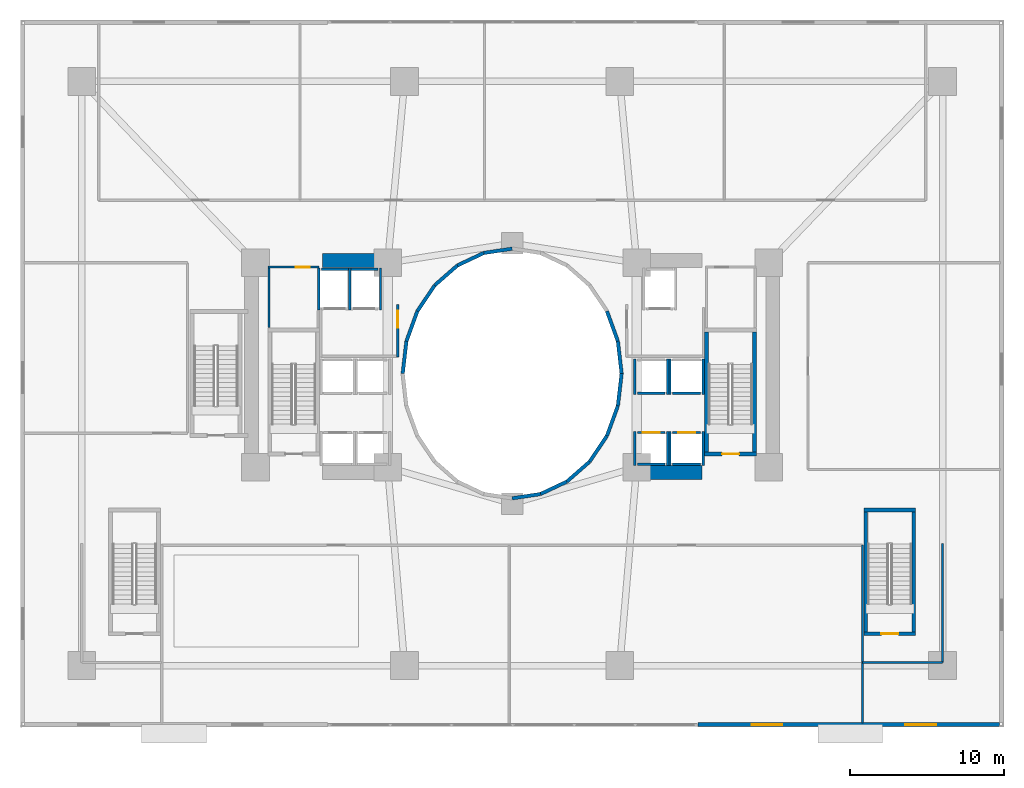
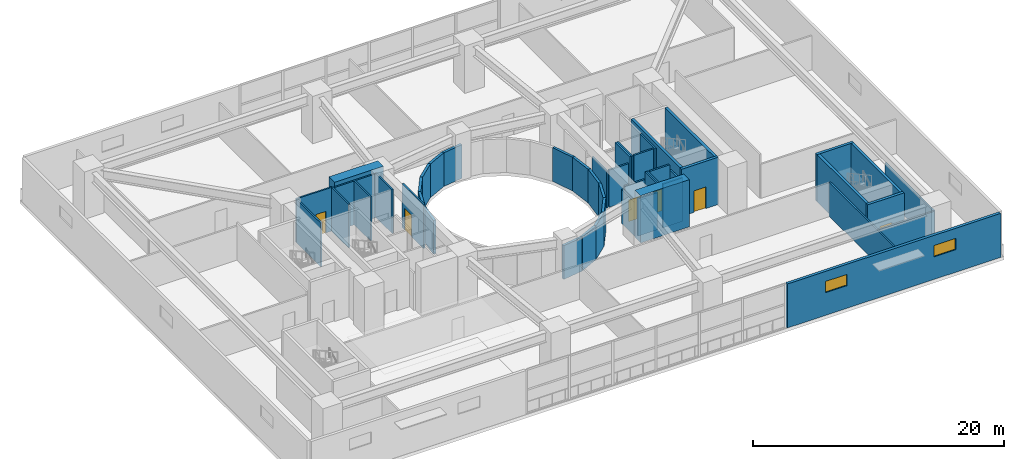
# One storey, part 12 of 20: 49 walls, 6 doors, 2 windows, 8 openings.
"""IFC4 building model written with IfcOpenShell, lengths in metres."""

from ifc_helpers import new_model, si_unit, direction, frame, frame_2d, origin, place, context, subcontext, project, spatial, rectangle, extrude, material, layer, layer_set, type_object, element, fill, save


model = new_model("IFC4")

# Units and contexts
model_context = context("Model", 3, precision=1e-05, world=origin(), true_north=direction((0.0, 1.0)))
body_context = subcontext(model_context, "Body", "Model", "MODEL_VIEW")
ifc_project = project(units=[si_unit("LENGTHUNIT", "METRE"), si_unit("AREAUNIT", "SQUARE_METRE"), si_unit("VOLUMEUNIT", "CUBIC_METRE"), si_unit("PLANEANGLEUNIT", "RADIAN"), si_unit("MASSUNIT", "GRAM", prefix="KILO")], contexts=[model_context])

# Site, building, storey
site_placement = place(None, origin())
site = spatial("IfcSite", under=ifc_project, at=site_placement, CompositionType="ELEMENT")
building_placement = place(site_placement, origin())
building = spatial("IfcBuilding", under=site, at=building_placement, Name="Solvane Sanctuary Tower", CompositionType="ELEMENT")
storey_placement = place(building_placement, frame((0.0, 0.0, 18.39990234375)))
storey = spatial("IfcBuildingStorey", under=building, at=storey_placement, Name="L05", CompositionType="ELEMENT", Elevation=18.39990234375)

# Walls
ifc_material_1 = material(Name="Concrete C70/85", Category="concrete")
ifc_layer_1 = layer(ifc_material_1, 0.89990234375, Name="Concrete C70/85")
ifc_layer_set_1 = layer_set([ifc_layer_1], Name="Concrete C70/85")
wall_type_1 = type_object("IfcWallType", Name="Wall W-CORE-900", PredefinedType="SHEAR", material=ifc_layer_set_1)
for number, where, z_axis, x_axis, name in (
    (1, (19.64990234375, 30.35009765625, 0.0), (0.0, 0.0, 1.0), (1.0, 0.0, 0.0), "L05 Core Shear Wall WC-N"),
    (2, (39.85009765625, 16.550048828125, 0.0), (0.0, 0.0, 1.0), (1.0, 0.0, 0.0), "L05 Core Shear Wall EC-S"),
):
    element("IfcWall", number, at=place(storey_placement, frame(where, z_axis=z_axis, x_axis=x_axis)), inside=storey, type_object=wall_type_1, Name=name, PredefinedType="SHEAR", context=body_context, shape_type="SweptSolid", body=[
        extrude(rectangle(XDim=4.5, YDim=0.89990234375, at=frame_2d((2.25, 0.0))), origin(), (0.0, 0.0, 1.0), 4.60009765625),
    ])

# Wall, opening, door
ifc_material_2 = material(Name="Acoustic Gypsum Partition Board")
ifc_layer_2 = layer(ifc_material_2, 0.14990234375, Name="Acoustic Gypsum Partition Board")
ifc_layer_set_2 = layer_set([ifc_layer_2], Name="Acoustic Gypsum Partition Board")
wall_type_2 = type_object("IfcWallType", Name="Wall W-CORR-150", PredefinedType="PARTITIONING", material=ifc_layer_set_2)
wall_1_placement = place(storey_placement, frame((24.550048828125, 24.080078125, 0.0), z_axis=(0.0, 0.0, 1.0), x_axis=(0.0, 1.0, 0.0)))
wall_1 = element("IfcWall", 3, at=wall_1_placement, inside=storey, type_object=wall_type_2, Name="L05 West Firefighting Lobby East Wall", PredefinedType="PARTITIONING", context=body_context, shape_type="SweptSolid", body=[
    extrude(rectangle(XDim=3.39990234375, YDim=0.14990234375, at=frame_2d((1.699951171875, 0.0))), origin(), (0.0, 0.0, 1.0), 4.255126953125),
])
opening_1_placement = place(wall_1_placement, frame((1.893798828125, 0.0, 0.0)))
opening_1 = element("IfcOpeningElement", 4, at=opening_1_placement, cuts=wall_1, Name="Opening D-L05-06", PredefinedType="OPENING", context=body_context, shape_type="SweptSolid", body=[
    extrude(rectangle(XDim=1.10009765625, YDim=2.10009765625, at=frame_2d((0.550048828125, 1.050048828125))), frame((0.0, 0.0849609375, 0.0), z_axis=(0.0, -1.0, 0.0), x_axis=(1.0, 0.0, 0.0)), (0.0, 0.0, 1.0), 0.169921875),
])
ifc_material_3 = material(Name="Architectural Stainless Steel 316", Category="steel")
door_type_1 = type_object("IfcDoorType", Name="Door D-FFL", OperationType="NOTDEFINED", PredefinedType="DOOR", material=ifc_material_3)
door_1_placement = place(opening_1_placement, origin())
door_1 = element("IfcDoor", 5, at=door_1_placement, inside=storey, type_object=door_type_1, Name="L05 West Firefighting Lobby Fire Door", OperationType="SINGLE_SWING_RIGHT", OverallHeight=2.10009765625, OverallWidth=1.10009765625, PredefinedType="DOOR", context=body_context, shape_type="SweptSolid", body=[
    extrude(rectangle(XDim=1.10009765625, YDim=2.10009765625, at=frame_2d((0.550048828125, 1.050048828125))), frame((0.0, 0.02490234375, 0.0), z_axis=(0.0, -1.0, 0.0), x_axis=(1.0, 0.0, 0.0)), (0.0, 0.0, 1.0), 0.050048828125),
])
fill(opening_1, door_1)

# Walls
wall_2_placement = place(storey_placement, frame((54.800048828125, 0.25, 0.0), z_axis=(0.0, 0.0, 1.0), x_axis=(0.0, 1.0, 0.0)))
element("IfcWall", 6, at=wall_2_placement, inside=storey, type_object=wall_type_2, Name="L05 East Hall End Wall", PredefinedType="PARTITIONING", context=body_context, shape_type="SweptSolid", body=[
    extrude(rectangle(XDim=11.580078125, YDim=0.14990234375, at=frame_2d((5.7900390625, 0.0))), origin(), (0.0, 0.0, 1.0), 3.300048828125),
])
wall_3_placement = place(storey_placement, frame((60.0, 4.199951171875, 0.0), z_axis=(0.0, 0.0, 1.0), x_axis=(0.0, 1.0, 0.0)))
element("IfcWall", 7, at=wall_3_placement, inside=storey, type_object=wall_type_2, Name="L05 ST-5 Link East Wall", PredefinedType="PARTITIONING", context=body_context, shape_type="SweptSolid", body=[
    extrude(rectangle(XDim=7.75, YDim=0.14990234375, at=frame_2d((3.875, 0.0))), origin(), (0.0, 0.0, 1.0), 3.300048828125),
])
wall_4_placement = place(storey_placement, frame((54.800048828125, 4.199951171875, 0.0), z_axis=(0.0, 0.0, 1.0), x_axis=(1.0, 0.0, 0.0)))
element("IfcWall", 8, at=wall_4_placement, inside=storey, type_object=wall_type_2, Name="L05 ST-5 Lobby South Wall", PredefinedType="PARTITIONING", context=body_context, shape_type="SweptSolid", body=[
    extrude(rectangle(XDim=5.199951171875, YDim=0.14990234375, at=frame_2d((2.60009765625, 0.0))), origin(), (0.0, 0.0, 1.0), 3.300048828125),
])

# Wall, openings, windows
ifc_material_4 = material(Name="Precast concrete C40/50", Category="concrete")
ifc_layer_3 = layer(ifc_material_4, 0.260009765625, Name="Precast concrete C40/50")
ifc_layer_set_3 = layer_set([ifc_layer_3], Name="Precast concrete C40/50")
wall_type_3 = type_object("IfcWallType", Name="Wall W-EXT-250", PredefinedType="STANDARD", material=ifc_layer_set_3)
wall_5_placement = place(storey_placement, frame((44.080078125, 0.14990234375, 0.0), z_axis=(0.0, 0.0, 1.0), x_axis=(1.0, 0.0, 0.0)))
wall_5 = element("IfcWall", 9, at=wall_5_placement, inside=storey, type_object=wall_type_3, Name="L05 Podium Facade Wall S3", PredefinedType="STANDARD", context=body_context, shape_type="SweptSolid", body=[
    extrude(rectangle(XDim=19.639892578125, YDim=0.260009765625, at=frame_2d((9.81982421875, 0.0))), origin(), (0.0, 0.0, 1.0), 4.280029296875),
])
opening_2_placement = place(wall_5_placement, frame((3.5, 0.0, 2.199951171875)))
opening_2 = element("IfcOpeningElement", 10, at=opening_2_placement, cuts=wall_5, Name="Opening WN-CLER-2000", PredefinedType="OPENING", context=body_context, shape_type="SweptSolid", body=[
    extrude(rectangle(XDim=2.0, YDim=1.10009765625, at=frame_2d((1.0, 0.550048828125))), frame((0.0, 0.139892578125, 0.0), z_axis=(0.0, -1.0, 0.0), x_axis=(1.0, 0.0, 0.0)), (0.0, 0.0, 1.0), 0.280029296875),
])
opening_3_placement = place(wall_5_placement, frame((13.5, 0.0, 2.199951171875)))
opening_3 = element("IfcOpeningElement", 11, at=opening_3_placement, cuts=wall_5, Name="Opening WN-CLER-2000", PredefinedType="OPENING", context=body_context, shape_type="SweptSolid", body=[
    extrude(rectangle(XDim=2.0, YDim=1.10009765625, at=frame_2d((1.0, 0.550048828125))), frame((0.0, 0.139892578125, 0.0), z_axis=(0.0, -1.0, 0.0), x_axis=(1.0, 0.0, 0.0)), (0.0, 0.0, 1.0), 0.280029296875),
])
ifc_material_5 = material(Name="Dark Ceramic-Fritted Low-E Glass", Category="glass")
window_type = type_object("IfcWindowType", Name="Window WN-CLER-2000", PartitioningType="SINGLE_PANEL", PredefinedType="WINDOW", material=ifc_material_5)
window_1_placement = place(opening_2_placement, origin())
window_1 = element("IfcWindow", 12, at=window_1_placement, inside=storey, type_object=window_type, Name="L05 Podium Window S3-3", OverallHeight=1.10009765625, OverallWidth=2.0, PartitioningType="SINGLE_PANEL", PredefinedType="WINDOW", context=body_context, shape_type="SweptSolid", body=[
    extrude(rectangle(XDim=2.0, YDim=1.10009765625, at=frame_2d((1.0, 0.550048828125))), frame((0.0, 0.030029296875, 0.0), z_axis=(0.0, -1.0, 0.0), x_axis=(1.0, 0.0, 0.0)), (0.0, 0.0, 1.0), 0.06005859375),
])
fill(opening_2, window_1)
window_2_placement = place(opening_3_placement, origin())
window_2 = element("IfcWindow", 13, at=window_2_placement, inside=storey, type_object=window_type, Name="L05 Podium Window S3-13", OverallHeight=1.10009765625, OverallWidth=2.0, PartitioningType="SINGLE_PANEL", PredefinedType="WINDOW", context=body_context, shape_type="SweptSolid", body=[
    extrude(rectangle(XDim=2.0, YDim=1.10009765625, at=frame_2d((1.0, 0.550048828125))), frame((0.0, 0.030029296875, 0.0), z_axis=(0.0, -1.0, 0.0), x_axis=(1.0, 0.0, 0.0)), (0.0, 0.0, 1.0), 0.06005859375),
])
fill(opening_3, window_2)

# Walls
ifc_layer_4 = layer(ifc_material_4, 0.22998046875, Name="Precast concrete C40/50")
ifc_layer_set_4 = layer_set([ifc_layer_4], Name="Precast concrete C40/50")
wall_type_4 = type_object("IfcWallType", Name="Wall W-EXT-SP220", PredefinedType="STANDARD", material=ifc_layer_set_4)
wall_6_placement = place(storey_placement, frame((39.1201171875, 23.0, 0.0), z_axis=(0.0, 0.0, 1.0), x_axis=(-0.114711713601, 0.993398823617, 0.0)))
element("IfcWall", 14, at=wall_6_placement, inside=storey, type_object=wall_type_4, Name="L05 Light-Well Enclosure Wall 00", PredefinedType="STANDARD", context=body_context, shape_type="SweptSolid", body=[
    extrude(rectangle(XDim=2.115478515625, YDim=0.22998046875, at=frame_2d((1.0576171875, 0.0))), origin(), (0.0, 0.0, 1.0), 3.280029296875),
])
wall_7_placement = place(storey_placement, frame((38.87744140625, 25.1015625, 0.0), z_axis=(0.0, 0.0, 1.0), x_axis=(-0.341423187295, 0.93990968033, 0.0)))
element("IfcWall", 15, at=wall_7_placement, inside=storey, type_object=wall_type_4, Name="L05 Light-Well Enclosure Wall 01", PredefinedType="STANDARD", context=body_context, shape_type="SweptSolid", body=[
    extrude(rectangle(XDim=2.083740234375, YDim=0.22998046875, at=frame_2d((1.0419921875, 0.0))), origin(), (0.0, 0.0, 1.0), 3.280029296875),
])
wall_8_placement = place(storey_placement, frame((32.0, 31.1201171875, 0.0), z_axis=(0.0, 0.0, 1.0), x_axis=(-0.988901730308, -0.148571086668, 0.0)))
element("IfcWall", 16, at=wall_8_placement, inside=storey, type_object=wall_type_4, Name="L05 Light-Well Enclosure Wall 06", PredefinedType="STANDARD", context=body_context, shape_type="SweptSolid", body=[
    extrude(rectangle(XDim=1.863525390625, YDim=0.22998046875, at=frame_2d((0.931640625, 0.0))), origin(), (0.0, 0.0, 1.0), 3.280029296875),
])
wall_9_placement = place(storey_placement, frame((30.1572265625, 30.84326171875, 0.0), z_axis=(0.0, 0.0, 1.0), x_axis=(-0.904179699603, -0.427152280606, 0.0)))
element("IfcWall", 17, at=wall_9_placement, inside=storey, type_object=wall_type_4, Name="L05 Light-Well Enclosure Wall 07", PredefinedType="STANDARD", context=body_context, shape_type="SweptSolid", body=[
    extrude(rectangle(XDim=1.899169921875, YDim=0.22998046875, at=frame_2d((0.94970703125, 0.0))), origin(), (0.0, 0.0, 1.0), 3.280029296875),
])
wall_10_placement = place(storey_placement, frame((28.43994140625, 30.031982421875, 0.0), z_axis=(0.0, 0.0, 1.0), x_axis=(-0.752576694707, -0.658504607869, 0.0)))
element("IfcWall", 18, at=wall_10_placement, inside=storey, type_object=wall_type_4, Name="L05 Light-Well Enclosure Wall 08", PredefinedType="STANDARD", context=body_context, shape_type="SweptSolid", body=[
    extrude(rectangle(XDim=1.95947265625, YDim=0.22998046875, at=frame_2d((0.979736328125, 0.0))), origin(), (0.0, 0.0, 1.0), 3.280029296875),
])
wall_11_placement = place(storey_placement, frame((26.96533203125, 28.74169921875, 0.0), z_axis=(0.0, 0.0, 1.0), x_axis=(-0.558197800898, -0.829707909492, 0.0)))
element("IfcWall", 19, at=wall_11_placement, inside=storey, type_object=wall_type_4, Name="L05 Light-Well Enclosure Wall 09", PredefinedType="STANDARD", context=body_context, shape_type="SweptSolid", body=[
    extrude(rectangle(XDim=2.02685546875, YDim=0.22998046875, at=frame_2d((1.013427734375, 0.0))), origin(), (0.0, 0.0, 1.0), 3.280029296875),
])
wall_12_placement = place(storey_placement, frame((25.833984375, 27.06005859375, 0.0), z_axis=(0.0, 0.0, 1.0), x_axis=(-0.341423187295, -0.93990968033, 0.0)))
element("IfcWall", 20, at=wall_12_placement, inside=storey, type_object=wall_type_4, Name="L05 Light-Well Enclosure Wall 10", PredefinedType="STANDARD", context=body_context, shape_type="SweptSolid", body=[
    extrude(rectangle(XDim=2.083740234375, YDim=0.22998046875, at=frame_2d((1.0419921875, 0.0))), origin(), (0.0, 0.0, 1.0), 3.280029296875),
])
wall_13_placement = place(storey_placement, frame((25.12255859375, 25.1015625, 0.0), z_axis=(0.0, 0.0, 1.0), x_axis=(-0.114711713601, -0.993398823617, 0.0)))
element("IfcWall", 21, at=wall_13_placement, inside=storey, type_object=wall_type_4, Name="L05 Light-Well Enclosure Wall 11", PredefinedType="STANDARD", context=body_context, shape_type="SweptSolid", body=[
    extrude(rectangle(XDim=2.115478515625, YDim=0.22998046875, at=frame_2d((1.0576171875, 0.0))), origin(), (0.0, 0.0, 1.0), 3.280029296875),
])
wall_14_placement = place(storey_placement, frame((32.0, 14.8798828125, 0.0), z_axis=(0.0, 0.0, 1.0), x_axis=(0.988901730308, 0.148571086668, 0.0)))
element("IfcWall", 22, at=wall_14_placement, inside=storey, type_object=wall_type_4, Name="L05 Light-Well Enclosure Wall 18", PredefinedType="STANDARD", context=body_context, shape_type="SweptSolid", body=[
    extrude(rectangle(XDim=1.863525390625, YDim=0.22998046875, at=frame_2d((0.931640625, 0.0))), origin(), (0.0, 0.0, 1.0), 3.280029296875),
])
wall_15_placement = place(storey_placement, frame((33.8427734375, 15.15673828125, 0.0), z_axis=(0.0, 0.0, 1.0), x_axis=(0.904179699603, 0.427152280606, 0.0)))
element("IfcWall", 23, at=wall_15_placement, inside=storey, type_object=wall_type_4, Name="L05 Light-Well Enclosure Wall 19", PredefinedType="STANDARD", context=body_context, shape_type="SweptSolid", body=[
    extrude(rectangle(XDim=1.899169921875, YDim=0.22998046875, at=frame_2d((0.94970703125, 0.0))), origin(), (0.0, 0.0, 1.0), 3.280029296875),
])
wall_16_placement = place(storey_placement, frame((35.56005859375, 15.968017578125, 0.0), z_axis=(0.0, 0.0, 1.0), x_axis=(0.752576694707, 0.658504607869, 0.0)))
element("IfcWall", 24, at=wall_16_placement, inside=storey, type_object=wall_type_4, Name="L05 Light-Well Enclosure Wall 20", PredefinedType="STANDARD", context=body_context, shape_type="SweptSolid", body=[
    extrude(rectangle(XDim=1.95947265625, YDim=0.22998046875, at=frame_2d((0.979736328125, 0.0))), origin(), (0.0, 0.0, 1.0), 3.280029296875),
])
wall_17_placement = place(storey_placement, frame((37.03466796875, 17.25830078125, 0.0), z_axis=(0.0, 0.0, 1.0), x_axis=(0.558197800898, 0.829707909492, 0.0)))
element("IfcWall", 25, at=wall_17_placement, inside=storey, type_object=wall_type_4, Name="L05 Light-Well Enclosure Wall 21", PredefinedType="STANDARD", context=body_context, shape_type="SweptSolid", body=[
    extrude(rectangle(XDim=2.02685546875, YDim=0.22998046875, at=frame_2d((1.013427734375, 0.0))), origin(), (0.0, 0.0, 1.0), 3.280029296875),
])
wall_18_placement = place(storey_placement, frame((38.166015625, 18.93994140625, 0.0), z_axis=(0.0, 0.0, 1.0), x_axis=(0.341423187295, 0.93990968033, 0.0)))
element("IfcWall", 26, at=wall_18_placement, inside=storey, type_object=wall_type_4, Name="L05 Light-Well Enclosure Wall 22", PredefinedType="STANDARD", context=body_context, shape_type="SweptSolid", body=[
    extrude(rectangle(XDim=2.083740234375, YDim=0.22998046875, at=frame_2d((1.0419921875, 0.0))), origin(), (0.0, 0.0, 1.0), 3.280029296875),
])
wall_19_placement = place(storey_placement, frame((38.87744140625, 20.8984375, 0.0), z_axis=(0.0, 0.0, 1.0), x_axis=(0.114711713601, 0.993398823617, 0.0)))
element("IfcWall", 27, at=wall_19_placement, inside=storey, type_object=wall_type_4, Name="L05 Light-Well Enclosure Wall 23", PredefinedType="STANDARD", context=body_context, shape_type="SweptSolid", body=[
    extrude(rectangle(XDim=2.115478515625, YDim=0.22998046875, at=frame_2d((1.0576171875, 0.0))), origin(), (0.0, 0.0, 1.0), 3.280029296875),
])

# Wall, opening, door
ifc_material_6 = material(Name="Concrete C50/60", Category="concrete")
ifc_layer_5 = layer(ifc_material_6, 0.14990234375, Name="Concrete C50/60")
ifc_layer_set_5 = layer_set([ifc_layer_5], Name="Concrete C50/60")
wall_type_5 = type_object("IfcWallType", Name="Wall W-SHAFT-150", PredefinedType="SOLIDWALL", material=ifc_layer_set_5)
wall_20_placement = place(storey_placement, frame((40.139892578125, 19.159912109375, 0.0), z_axis=(0.0, 0.0, 1.0), x_axis=(1.0, 0.0, 0.0)))
wall_20 = element("IfcWall", 28, at=wall_20_placement, inside=storey, type_object=wall_type_5, Name="L05 PL-3 Lift Shaft Wall F", PredefinedType="SOLIDWALL", context=body_context, shape_type="SweptSolid", body=[
    extrude(rectangle(XDim=1.820068359375, YDim=0.14990234375, at=frame_2d((0.91015625, 0.0))), origin(), (0.0, 0.0, 1.0), 3.6201171875),
])
opening_4_placement = place(wall_20_placement, frame((0.360107421875, 0.0, 0.0)))
opening_4 = element("IfcOpeningElement", 29, at=opening_4_placement, cuts=wall_20, Name="Opening LD-L05-03", PredefinedType="OPENING", context=body_context, shape_type="SweptSolid", body=[
    extrude(rectangle(XDim=1.10009765625, YDim=2.10009765625, at=frame_2d((0.550048828125, 1.050048828125))), frame((0.0, 0.0849609375, 0.0), z_axis=(0.0, -1.0, 0.0), x_axis=(1.0, 0.0, 0.0)), (0.0, 0.0, 1.0), 0.169921875),
])
door_type_2 = type_object("IfcDoorType", Name="Door LD-PASS-1100", OperationType="NOTDEFINED", PredefinedType="DOOR", material=ifc_material_3)
door_2_placement = place(opening_4_placement, origin())
door_2 = element("IfcDoor", 30, at=door_2_placement, inside=storey, type_object=door_type_2, Name="L05 PL-3 Lift Landing Door", OperationType="DOUBLE_DOOR_SLIDING", OverallHeight=2.10009765625, OverallWidth=1.10009765625, PredefinedType="DOOR", context=body_context, shape_type="SweptSolid", body=[
    extrude(rectangle(XDim=1.10009765625, YDim=2.10009765625, at=frame_2d((0.550048828125, 1.050048828125))), frame((0.0, 0.02490234375, 0.0), z_axis=(0.0, -1.0, 0.0), x_axis=(1.0, 0.0, 0.0)), (0.0, 0.0, 1.0), 0.050048828125),
])
fill(opening_4, door_2)

# Walls
wall_21_placement = place(storey_placement, frame((40.139892578125, 17.10009765625, 0.0), z_axis=(0.0, 0.0, 1.0), x_axis=(1.0, 0.0, 0.0)))
element("IfcWall", 31, at=wall_21_placement, inside=storey, type_object=wall_type_5, Name="L05 PL-3 Lift Shaft Wall B", PredefinedType="SOLIDWALL", context=body_context, shape_type="SweptSolid", body=[
    extrude(rectangle(XDim=1.820068359375, YDim=0.14990234375, at=frame_2d((0.91015625, 0.0))), origin(), (0.0, 0.0, 1.0), 3.6201171875),
])
wall_22_placement = place(storey_placement, frame((39.969970703125, 17.02001953125, 0.0), z_axis=(0.0, 0.0, 1.0), x_axis=(0.0, 1.0, 0.0)))
element("IfcWall", 32, at=wall_22_placement, inside=storey, type_object=wall_type_5, Name="L05 PL-3 Lift Shaft Wall S1", PredefinedType="SOLIDWALL", context=body_context, shape_type="SweptSolid", body=[
    extrude(rectangle(XDim=2.219970703125, YDim=0.14990234375, at=frame_2d((1.10986328125, 0.0))), origin(), (0.0, 0.0, 1.0), 3.300048828125),
])
wall_23_placement = place(storey_placement, frame((42.1298828125, 17.02001953125, 0.0), z_axis=(0.0, 0.0, 1.0), x_axis=(0.0, 1.0, 0.0)))
element("IfcWall", 33, at=wall_23_placement, inside=storey, type_object=wall_type_5, Name="L05 PL-3 Lift Shaft Wall S2", PredefinedType="SOLIDWALL", context=body_context, shape_type="SweptSolid", body=[
    extrude(rectangle(XDim=2.219970703125, YDim=0.14990234375, at=frame_2d((1.10986328125, 0.0))), origin(), (0.0, 0.0, 1.0), 4.255126953125),
])

# Wall, opening, door
wall_24_placement = place(storey_placement, frame((42.43994140625, 19.159912109375, 0.0), z_axis=(0.0, 0.0, 1.0), x_axis=(1.0, 0.0, 0.0)))
wall_24 = element("IfcWall", 34, at=wall_24_placement, inside=storey, type_object=wall_type_5, Name="L05 PL-4 Lift Shaft Wall F", PredefinedType="SOLIDWALL", context=body_context, shape_type="SweptSolid", body=[
    extrude(rectangle(XDim=1.820068359375, YDim=0.14990234375, at=frame_2d((0.91015625, 0.0))), origin(), (0.0, 0.0, 1.0), 4.255126953125),
])
opening_5_placement = place(wall_24_placement, frame((0.360107421875, 0.0, 0.0)))
opening_5 = element("IfcOpeningElement", 35, at=opening_5_placement, cuts=wall_24, Name="Opening LD-L05-04", PredefinedType="OPENING", context=body_context, shape_type="SweptSolid", body=[
    extrude(rectangle(XDim=1.10009765625, YDim=2.10009765625, at=frame_2d((0.550048828125, 1.050048828125))), frame((0.0, 0.0849609375, 0.0), z_axis=(0.0, -1.0, 0.0), x_axis=(1.0, 0.0, 0.0)), (0.0, 0.0, 1.0), 0.169921875),
])
door_3_placement = place(opening_5_placement, origin())
door_3 = element("IfcDoor", 36, at=door_3_placement, inside=storey, type_object=door_type_2, Name="L05 PL-4 Lift Landing Door", OperationType="DOUBLE_DOOR_SLIDING", OverallHeight=2.10009765625, OverallWidth=1.10009765625, PredefinedType="DOOR", context=body_context, shape_type="SweptSolid", body=[
    extrude(rectangle(XDim=1.10009765625, YDim=2.10009765625, at=frame_2d((0.550048828125, 1.050048828125))), frame((0.0, 0.02490234375, 0.0), z_axis=(0.0, -1.0, 0.0), x_axis=(1.0, 0.0, 0.0)), (0.0, 0.0, 1.0), 0.050048828125),
])
fill(opening_5, door_3)

# Walls
wall_25_placement = place(storey_placement, frame((42.43994140625, 17.10009765625, 0.0), z_axis=(0.0, 0.0, 1.0), x_axis=(1.0, 0.0, 0.0)))
element("IfcWall", 37, at=wall_25_placement, inside=storey, type_object=wall_type_5, Name="L05 PL-4 Lift Shaft Wall B", PredefinedType="SOLIDWALL", context=body_context, shape_type="SweptSolid", body=[
    extrude(rectangle(XDim=1.820068359375, YDim=0.14990234375, at=frame_2d((0.91015625, 0.0))), origin(), (0.0, 0.0, 1.0), 4.255126953125),
])
wall_26_placement = place(storey_placement, frame((42.27001953125, 17.02001953125, 0.0), z_axis=(0.0, 0.0, 1.0), x_axis=(0.0, 1.0, 0.0)))
element("IfcWall", 38, at=wall_26_placement, inside=storey, type_object=wall_type_5, Name="L05 PL-4 Lift Shaft Wall S1", PredefinedType="SOLIDWALL", context=body_context, shape_type="SweptSolid", body=[
    extrude(rectangle(XDim=2.219970703125, YDim=0.14990234375, at=frame_2d((1.10986328125, 0.0))), origin(), (0.0, 0.0, 1.0), 4.255126953125),
])
wall_27_placement = place(storey_placement, frame((44.429931640625, 17.02001953125, 0.0), z_axis=(0.0, 0.0, 1.0), x_axis=(0.0, 1.0, 0.0)))
element("IfcWall", 39, at=wall_27_placement, inside=storey, type_object=wall_type_5, Name="L05 PL-4 Lift Shaft Wall S2", PredefinedType="SOLIDWALL", context=body_context, shape_type="SweptSolid", body=[
    extrude(rectangle(XDim=2.219970703125, YDim=0.14990234375, at=frame_2d((1.10986328125, 0.0))), origin(), (0.0, 0.0, 1.0), 3.6201171875),
])
wall_28_placement = place(storey_placement, frame((42.43994140625, 21.719970703125, 0.0), z_axis=(0.0, 0.0, 1.0), x_axis=(1.0, 0.0, 0.0)))
element("IfcWall", 40, at=wall_28_placement, inside=storey, type_object=wall_type_5, Name="L05 PM-2 Lift Shaft Wall F", PredefinedType="SOLIDWALL", context=body_context, shape_type="SweptSolid", body=[
    extrude(rectangle(XDim=1.820068359375, YDim=0.14990234375, at=frame_2d((0.91015625, 0.0))), origin(), (0.0, 0.0, 1.0), 4.255126953125),
])
for number, where, z_axis, x_axis, name in (
    (41, (42.27001953125, 21.639892578125, 0.0), (0.0, 0.0, 1.0), (0.0, 1.0, 0.0), "L05 PM-2 Lift Shaft Wall S1"),
    (42, (44.429931640625, 21.639892578125, 0.0), (0.0, 0.0, 1.0), (0.0, 1.0, 0.0), "L05 PM-2 Lift Shaft Wall S2"),
):
    element("IfcWall", number, at=place(storey_placement, frame(where, z_axis=z_axis, x_axis=x_axis)), inside=storey, type_object=wall_type_5, Name=name, PredefinedType="SOLIDWALL", context=body_context, shape_type="SweptSolid", body=[
        extrude(rectangle(XDim=2.320068359375, YDim=0.14990234375, at=frame_2d((1.16015625, 0.0))), origin(), (0.0, 0.0, 1.0), 4.255126953125),
    ])
wall_29_placement = place(storey_placement, frame((40.139892578125, 21.719970703125, 0.0), z_axis=(0.0, 0.0, 1.0), x_axis=(1.0, 0.0, 0.0)))
element("IfcWall", 43, at=wall_29_placement, inside=storey, type_object=wall_type_5, Name="L05 PH-2 Lift Shaft Wall F", PredefinedType="SOLIDWALL", context=body_context, shape_type="SweptSolid", body=[
    extrude(rectangle(XDim=1.820068359375, YDim=0.14990234375, at=frame_2d((0.91015625, 0.0))), origin(), (0.0, 0.0, 1.0), 3.6201171875),
])
wall_30_placement = place(storey_placement, frame((39.969970703125, 21.639892578125, 0.0), z_axis=(0.0, 0.0, 1.0), x_axis=(0.0, 1.0, 0.0)))
element("IfcWall", 44, at=wall_30_placement, inside=storey, type_object=wall_type_5, Name="L05 PH-2 Lift Shaft Wall S1", PredefinedType="SOLIDWALL", context=body_context, shape_type="SweptSolid", body=[
    extrude(rectangle(XDim=2.320068359375, YDim=0.14990234375, at=frame_2d((1.16015625, 0.0))), origin(), (0.0, 0.0, 1.0), 3.6201171875),
])
wall_31_placement = place(storey_placement, frame((42.1298828125, 21.639892578125, 0.0), z_axis=(0.0, 0.0, 1.0), x_axis=(0.0, 1.0, 0.0)))
element("IfcWall", 45, at=wall_31_placement, inside=storey, type_object=wall_type_5, Name="L05 PH-2 Lift Shaft Wall S2", PredefinedType="SOLIDWALL", context=body_context, shape_type="SweptSolid", body=[
    extrude(rectangle(XDim=2.320068359375, YDim=0.14990234375, at=frame_2d((1.16015625, 0.0))), origin(), (0.0, 0.0, 1.0), 4.255126953125),
])
wall_32_placement = place(storey_placement, frame((19.590087890625, 29.780029296875, 0.0), z_axis=(0.0, 0.0, 1.0), x_axis=(1.0, 0.0, 0.0)))
element("IfcWall", 46, at=wall_32_placement, inside=storey, type_object=wall_type_5, Name="L05 FFL-1 Lift Shaft Wall B", PredefinedType="SOLIDWALL", context=body_context, shape_type="SweptSolid", body=[
    extrude(rectangle(XDim=1.760009765625, YDim=0.14990234375, at=frame_2d((0.8798828125, 0.0))), origin(), (0.0, 0.0, 1.0), 4.255126953125),
])
for number, where, z_axis, x_axis, name in (
    (47, (19.419921875, 27.139892578125, 0.0), (0.0, 0.0, 1.0), (0.0, 1.0, 0.0), "L05 FFL-1 Lift Shaft Wall S1"),
    (48, (21.425048828125, 27.139892578125, 0.0), (0.0, 0.0, 1.0), (0.0, 1.0, 0.0), "L05 FFL-1 Lift Shaft Wall S2"),
):
    element("IfcWall", number, at=place(storey_placement, frame(where, z_axis=z_axis, x_axis=x_axis)), inside=storey, type_object=wall_type_5, Name=name, PredefinedType="SOLIDWALL", context=body_context, shape_type="SweptSolid", body=[
        extrude(rectangle(XDim=2.72021484375, YDim=0.14990234375, at=frame_2d((1.360107421875, 0.0))), origin(), (0.0, 0.0, 1.0), 4.255126953125),
    ])
wall_33_placement = place(storey_placement, frame((21.5, 29.780029296875, 0.0), z_axis=(0.0, 0.0, 1.0), x_axis=(1.0, 0.0, 0.0)))
element("IfcWall", 49, at=wall_33_placement, inside=storey, type_object=wall_type_5, Name="L05 SVL-1 Lift Shaft Wall B", PredefinedType="SOLIDWALL", context=body_context, shape_type="SweptSolid", body=[
    extrude(rectangle(XDim=1.760009765625, YDim=0.14990234375, at=frame_2d((0.8798828125, 0.0))), origin(), (0.0, 0.0, 1.0), 4.255126953125),
])
wall_34_placement = place(storey_placement, frame((23.429931640625, 27.139892578125, 0.0), z_axis=(0.0, 0.0, 1.0), x_axis=(0.0, 1.0, 0.0)))
element("IfcWall", 50, at=wall_34_placement, inside=storey, type_object=wall_type_5, Name="L05 SVL-1 Lift Shaft Wall S2", PredefinedType="SOLIDWALL", context=body_context, shape_type="SweptSolid", body=[
    extrude(rectangle(XDim=2.72021484375, YDim=0.14990234375, at=frame_2d((1.360107421875, 0.0))), origin(), (0.0, 0.0, 1.0), 4.255126953125),
])

# Wall, opening, door
ifc_layer_6 = layer(ifc_material_6, 0.25, Name="Concrete C50/60")
ifc_layer_set_6 = layer_set([ifc_layer_6], Name="Concrete C50/60")
wall_type_6 = type_object("IfcWallType", Name="Wall W-SHAFT-250", PredefinedType="SOLIDWALL", material=ifc_layer_set_6)
wall_35_placement = place(storey_placement, frame((44.52490234375, 17.77001953125, 0.0), z_axis=(0.0, 0.0, 1.0), x_axis=(1.0, 0.0, 0.0)))
wall_35 = element("IfcWall", 51, at=wall_35_placement, inside=storey, type_object=wall_type_6, Name="L05 ST-2 Load-Bearing Shaft Wall S", PredefinedType="SOLIDWALL", context=body_context, shape_type="SweptSolid", body=[
    extrude(rectangle(XDim=3.3701171875, YDim=0.25, at=frame_2d((1.68505859375, 0.0))), origin(), (0.0, 0.0, 1.0), 4.60009765625),
])
opening_6_placement = place(wall_35_placement, frame((1.135009765625, 0.0, 0.0)))
opening_6 = element("IfcOpeningElement", 52, at=opening_6_placement, cuts=wall_35, Name="Opening D-L05-02", PredefinedType="OPENING", context=body_context, shape_type="SweptSolid", body=[
    extrude(rectangle(XDim=1.10009765625, YDim=2.10009765625, at=frame_2d((0.550048828125, 1.050048828125))), frame((0.0, 0.135009765625, 0.0), z_axis=(0.0, -1.0, 0.0), x_axis=(1.0, 0.0, 0.0)), (0.0, 0.0, 1.0), 0.27001953125),
])
door_type_3 = type_object("IfcDoorType", Name="Door D-STAIR", OperationType="NOTDEFINED", PredefinedType="DOOR", material=ifc_material_3)
door_4_placement = place(opening_6_placement, origin())
door_4 = element("IfcDoor", 53, at=door_4_placement, inside=storey, type_object=door_type_3, Name="L05 ST-2 Exit Stair Fire Door", OperationType="SINGLE_SWING_RIGHT", OverallHeight=2.10009765625, OverallWidth=1.10009765625, PredefinedType="DOOR", context=body_context, shape_type="SweptSolid", body=[
    extrude(rectangle(XDim=1.10009765625, YDim=2.10009765625, at=frame_2d((0.550048828125, 1.050048828125))), frame((0.0, 0.02490234375, 0.0), z_axis=(0.0, -1.0, 0.0), x_axis=(1.0, 0.0, 0.0)), (0.0, 0.0, 1.0), 0.050048828125),
])
fill(opening_6, door_4)

# Walls
for number, where, z_axis, x_axis, name in (
    (54, (44.64990234375, 17.89501953125, 0.0), (0.0, 0.0, 1.0), (0.0, 1.0, 0.0), "L05 ST-2 Load-Bearing Shaft Wall W"),
    (55, (47.77001953125, 17.89501953125, 0.0), (0.0, 0.0, 1.0), (0.0, 1.0, 0.0), "L05 ST-2 Load-Bearing Shaft Wall E"),
):
    element("IfcWall", number, at=place(storey_placement, frame(where, z_axis=z_axis, x_axis=x_axis)), inside=storey, type_object=wall_type_6, Name=name, PredefinedType="SOLIDWALL", context=body_context, shape_type="SweptSolid", body=[
        extrude(rectangle(XDim=7.81005859375, YDim=0.25, at=frame_2d((3.905029296875, 0.0))), origin(), (0.0, 0.0, 1.0), 4.60009765625),
    ])

# Wall, opening, door
wall_36_placement = place(storey_placement, frame((54.885009765625, 6.070068359375, 0.0), z_axis=(0.0, 0.0, 1.0), x_axis=(1.0, 0.0, 0.0)))
wall_36 = element("IfcWall", 56, at=wall_36_placement, inside=storey, type_object=wall_type_6, Name="L05 ST-5 Load-Bearing Shaft Wall S", PredefinedType="SOLIDWALL", context=body_context, shape_type="SweptSolid", body=[
    extrude(rectangle(XDim=3.369873046875, YDim=0.25, at=frame_2d((1.68505859375, 0.0))), origin(), (0.0, 0.0, 1.0), 4.60009765625),
])
opening_7_placement = place(wall_36_placement, frame((1.135009765625, 0.0, 0.0)))
opening_7 = element("IfcOpeningElement", 57, at=opening_7_placement, cuts=wall_36, Name="Opening D-L05-05", PredefinedType="OPENING", context=body_context, shape_type="SweptSolid", body=[
    extrude(rectangle(XDim=1.10009765625, YDim=2.10009765625, at=frame_2d((0.550048828125, 1.050048828125))), frame((0.0, 0.135009765625, 0.0), z_axis=(0.0, -1.0, 0.0), x_axis=(1.0, 0.0, 0.0)), (0.0, 0.0, 1.0), 0.27001953125),
])
door_5_placement = place(opening_7_placement, origin())
door_5 = element("IfcDoor", 58, at=door_5_placement, inside=storey, type_object=door_type_3, Name="L05 ST-5 Exit Stair Fire Door", OperationType="SINGLE_SWING_LEFT", OverallHeight=2.10009765625, OverallWidth=1.10009765625, PredefinedType="DOOR", context=body_context, shape_type="SweptSolid", body=[
    extrude(rectangle(XDim=1.10009765625, YDim=2.10009765625, at=frame_2d((0.550048828125, 1.050048828125))), frame((0.0, 0.02490234375, 0.0), z_axis=(0.0, -1.0, 0.0), x_axis=(1.0, 0.0, 0.0)), (0.0, 0.0, 1.0), 0.050048828125),
])
fill(opening_7, door_5)

# Walls
wall_37_placement = place(storey_placement, frame((54.885009765625, 14.1298828125, 0.0), z_axis=(0.0, 0.0, 1.0), x_axis=(1.0, 0.0, 0.0)))
element("IfcWall", 59, at=wall_37_placement, inside=storey, type_object=wall_type_6, Name="L05 ST-5 Load-Bearing Shaft Wall N", PredefinedType="SOLIDWALL", context=body_context, shape_type="SweptSolid", body=[
    extrude(rectangle(XDim=3.369873046875, YDim=0.25, at=frame_2d((1.68505859375, 0.0))), origin(), (0.0, 0.0, 1.0), 4.60009765625),
])
for number, where, z_axis, x_axis, name in (
    (60, (55.010009765625, 6.195068359375, 0.0), (0.0, 0.0, 1.0), (0.0, 1.0, 0.0), "L05 ST-5 Load-Bearing Shaft Wall W"),
    (61, (58.1298828125, 6.195068359375, 0.0), (0.0, 0.0, 1.0), (0.0, 1.0, 0.0), "L05 ST-5 Load-Bearing Shaft Wall E"),
):
    element("IfcWall", number, at=place(storey_placement, frame(where, z_axis=z_axis, x_axis=x_axis)), inside=storey, type_object=wall_type_6, Name=name, PredefinedType="SOLIDWALL", context=body_context, shape_type="SweptSolid", body=[
        extrude(rectangle(XDim=7.809814453125, YDim=0.25, at=frame_2d((3.90478515625, 0.0))), origin(), (0.0, 0.0, 1.0), 4.60009765625),
    ])

# Wall, opening, door
ifc_layer_7 = layer(ifc_material_2, 0.139892578125, Name="Acoustic Gypsum Partition Board")
ifc_layer_set_7 = layer_set([ifc_layer_7], Name="Acoustic Gypsum Partition Board")
wall_type_7 = type_object("IfcWallType", Name="Wall W-WET-140", PredefinedType="PLUMBINGWALL", material=ifc_layer_set_7)
wall_38_placement = place(storey_placement, frame((16.1201171875, 29.919921875, 0.0), z_axis=(0.0, 0.0, 1.0), x_axis=(1.0, 0.0, 0.0)))
wall_38 = element("IfcWall", 62, at=wall_38_placement, inside=storey, type_object=wall_type_7, Name="L05 Core WC Front Wall", PredefinedType="PLUMBINGWALL", context=body_context, shape_type="SweptSolid", body=[
    extrude(rectangle(XDim=3.2998046875, YDim=0.139892578125, at=frame_2d((1.64990234375, 0.0))), origin(), (0.0, 0.0, 1.0), 4.255126953125),
])
opening_8_placement = place(wall_38_placement, frame((1.81298828125, 0.0, 0.0)))
opening_8 = element("IfcOpeningElement", 63, at=opening_8_placement, cuts=wall_38, Name="Opening D-L05-16", PredefinedType="OPENING", context=body_context, shape_type="SweptSolid", body=[
    extrude(rectangle(XDim=0.89990234375, YDim=2.10009765625, at=frame_2d((0.449951171875, 1.050048828125))), frame((0.0, 0.079833984375, 0.0), z_axis=(0.0, -1.0, 0.0), x_axis=(1.0, 0.0, 0.0)), (0.0, 0.0, 1.0), 0.159912109375),
])
ifc_material_7 = material(Name="Engineered Tropical Hardwood", Category="wood")
door_type_4 = type_object("IfcDoorType", Name="Door D-WET-900", OperationType="NOTDEFINED", PredefinedType="DOOR", material=ifc_material_7)
door_6_placement = place(opening_8_placement, origin())
door_6 = element("IfcDoor", 64, at=door_6_placement, inside=storey, type_object=door_type_4, Name="L05 Core WC Door", OperationType="SINGLE_SWING_RIGHT", OverallHeight=2.10009765625, OverallWidth=0.89990234375, PredefinedType="DOOR", context=body_context, shape_type="SweptSolid", body=[
    extrude(rectangle(XDim=0.89990234375, YDim=2.10009765625, at=frame_2d((0.449951171875, 1.050048828125))), frame((0.0, 0.02490234375, 0.0), z_axis=(0.0, -1.0, 0.0), x_axis=(1.0, 0.0, 0.0)), (0.0, 0.0, 1.0), 0.050048828125),
])
fill(opening_8, door_6)

# Wall
wall_39_placement = place(storey_placement, frame((16.179931640625, 25.97998046875, 0.0), z_axis=(0.0, 0.0, 1.0), x_axis=(0.0, 1.0, 0.0)))
element("IfcWall", 65, at=wall_39_placement, inside=storey, type_object=wall_type_7, Name="L05 Core WC West Wall", PredefinedType="PLUMBINGWALL", context=body_context, shape_type="SweptSolid", body=[
    extrude(rectangle(XDim=3.880126953125, YDim=0.139892578125, at=frame_2d((1.93994140625, 0.0))), origin(), (0.0, 0.0, 1.0), 4.255126953125),
])

save(model, "model.ifc")
